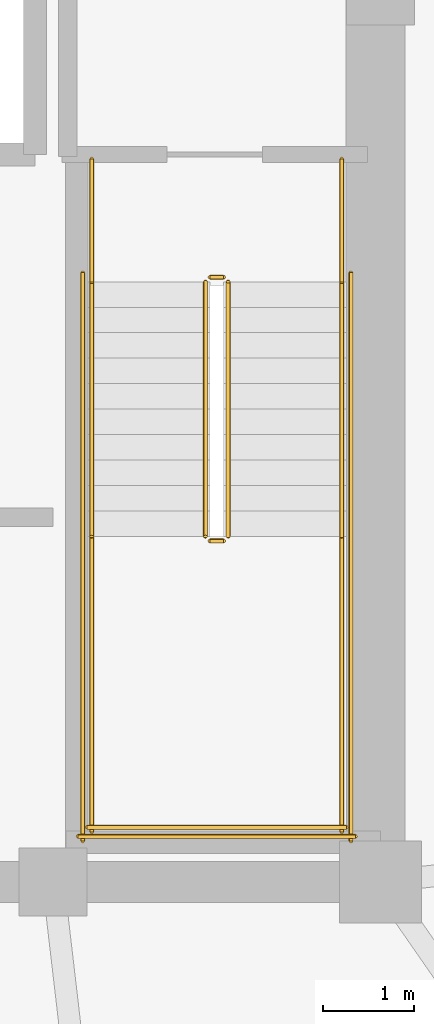
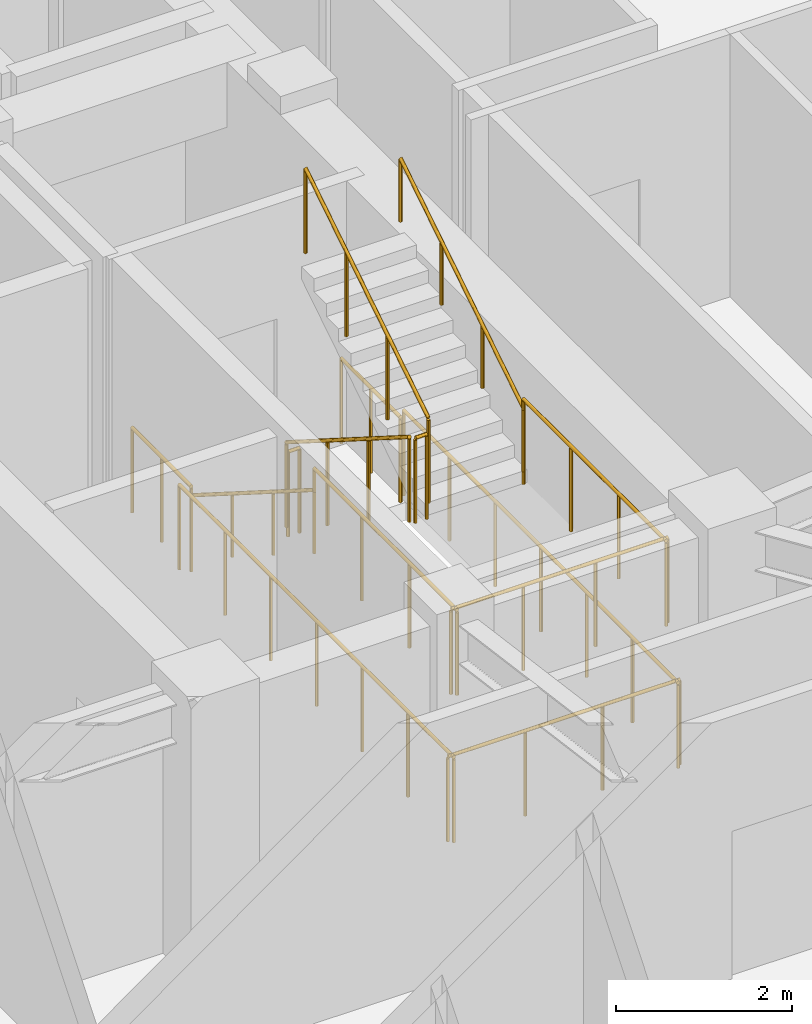
# One storey, part 11 of 11: 14 railings.
"""IFC4 building model written with IfcOpenShell, lengths in metres."""

from ifc_helpers import new_model, si_unit, direction, frame, origin, origin_2d, place, context, subcontext, project, spatial, circle, extrude, material, type_object, element, save


model = new_model("IFC4")

# Units and contexts
model_context = context("Model", 3, precision=1e-05, world=origin(), true_north=direction((0.0, 1.0)))
body_context = subcontext(model_context, "Body", "Model", "MODEL_VIEW")
ifc_project = project(units=[si_unit("LENGTHUNIT", "METRE"), si_unit("AREAUNIT", "SQUARE_METRE"), si_unit("VOLUMEUNIT", "CUBIC_METRE"), si_unit("PLANEANGLEUNIT", "RADIAN"), si_unit("MASSUNIT", "GRAM", prefix="KILO")], contexts=[model_context])

# Site, building, storey
site_placement = place(None, origin())
site = spatial("IfcSite", under=ifc_project, at=site_placement, CompositionType="ELEMENT")
building_placement = place(site_placement, origin())
building = spatial("IfcBuilding", under=site, at=building_placement, Name="Voryun Gate Residences", CompositionType="ELEMENT")
storey_placement = place(building_placement, frame((0.0, 0.0, 223.60009765625)))
storey = spatial("IfcBuildingStorey", under=building, at=storey_placement, Name="L55", CompositionType="ELEMENT", Elevation=223.60009765625)

# Railings
ifc_material_1 = material(Name="Painted steel", Category="steel")
railing_type_1 = type_object("IfcRailingType", Name="RAIL_STAIR_GUARD_1200", PredefinedType="GUARDRAIL", material=ifc_material_1)
railing_1_placement = place(storey_placement, frame((17.27490234375, -0.800048828125, 0.17724609375)))
element("IfcRailing", 1, at=railing_1_placement, inside=storey, type_object=railing_type_1, Name="L55 ST-E1 stair guard 1", PredefinedType="GUARDRAIL", context=body_context, shape_type="SweptSolid", body=[
    extrude(circle(Radius=0.02392578125, at=origin_2d()), frame((0.0, 0.0, 1.17578125), z_axis=(0.0, -0.844908973607, 0.534910110503), x_axis=(1.0, 0.0, 0.0)), (0.0, 0.0, 1.0), 3.31396484375),
    extrude(circle(Radius=0.02099609375, at=origin_2d()), origin(), (0.0, 0.0, 1.0), 1.15185546875),
    extrude(circle(Radius=0.02099609375, at=origin_2d()), frame((0.0, -0.933349609375, 0.5908203125)), (0.0, 0.0, 1.0), 1.15185546875),
    extrude(circle(Radius=0.02099609375, at=origin_2d()), frame((0.0, -1.86669921875, 1.181884765625)), (0.0, 0.0, 1.0), 1.15185546875),
    extrude(circle(Radius=0.02099609375, at=origin_2d()), frame((0.0, -2.800048828125, 1.772705078125)), (0.0, 0.0, 1.0), 1.15185546875),
])
railing_2_placement = place(storey_placement, frame((17.324951171875, -3.64990234375, 1.949951171875)))
element("IfcRailing", 2, at=railing_2_placement, inside=storey, type_object=railing_type_1, Name="L55 ST-E1 stair guard 2", PredefinedType="GUARDRAIL", context=body_context, shape_type="SweptSolid", body=[
    extrude(circle(Radius=0.02392578125, at=origin_2d()), frame((0.0, 0.0, 1.17578125), z_axis=(1.0, 0.0, 0.0), x_axis=(0.0, 1.0, 0.0)), (0.0, 0.0, 1.0), 0.150146484375),
    extrude(circle(Radius=0.02099609375, at=origin_2d()), origin(), (0.0, 0.0, 1.0), 1.15185546875),
    extrude(circle(Radius=0.02099609375, at=origin_2d()), frame((0.150146484375, 0.0, 0.0)), (0.0, 0.0, 1.0), 1.15185546875),
])
for number, where, name in (
    (3, (16.02490234375, -3.60009765625, 1.949951171875), "L55 ST-E1 stair guard 3"),
    (4, (18.77490234375, -3.60009765625, 1.949951171875), "L55 ST-E1 stair guard 4"),
):
    element("IfcRailing", number, at=place(storey_placement, frame(where)), inside=storey, type_object=railing_type_1, Name=name, PredefinedType="GUARDRAIL", context=body_context, shape_type="SweptSolid", body=[
        extrude(circle(Radius=0.02392578125, at=origin_2d()), frame((0.0, 0.0, 1.17578125), z_axis=(0.0, -1.0, 0.0), x_axis=(1.0, 0.0, 0.0)), (0.0, 0.0, 1.0), 3.25),
        extrude(circle(Radius=0.02099609375, at=origin_2d()), origin(), (0.0, 0.0, 1.0), 1.15185546875),
        extrude(circle(Radius=0.02099609375, at=origin_2d()), frame((0.0, -1.083251953125, 0.0)), (0.0, 0.0, 1.0), 1.15185546875),
        extrude(circle(Radius=0.02099609375, at=origin_2d()), frame((0.0, -2.166748046875, 0.0)), (0.0, 0.0, 1.0), 1.15185546875),
        extrude(circle(Radius=0.02099609375, at=origin_2d()), frame((0.0, -3.25, 0.0)), (0.0, 0.0, 1.0), 1.15185546875),
    ])
railing_3_placement = place(storey_placement, frame((15.97509765625, -6.800048828125, 1.949951171875)))
element("IfcRailing", 5, at=railing_3_placement, inside=storey, type_object=railing_type_1, Name="L55 ST-E1 stair guard 5", PredefinedType="GUARDRAIL", context=body_context, shape_type="SweptSolid", body=[
    extrude(circle(Radius=0.02392578125, at=origin_2d()), frame((0.0, 0.0, 1.17578125), z_axis=(1.0, 0.0, 0.0), x_axis=(0.0, 1.0, 0.0)), (0.0, 0.0, 1.0), 2.849853515625),
    extrude(circle(Radius=0.02099609375, at=origin_2d()), origin(), (0.0, 0.0, 1.0), 1.15185546875),
    extrude(circle(Radius=0.02099609375, at=origin_2d()), frame((0.949951171875, 0.0, 0.0)), (0.0, 0.0, 1.0), 1.15185546875),
    extrude(circle(Radius=0.02099609375, at=origin_2d()), frame((1.89990234375, 0.0, 0.0)), (0.0, 0.0, 1.0), 1.15185546875),
    extrude(circle(Radius=0.02099609375, at=origin_2d()), frame((2.849853515625, 0.0, 0.0)), (0.0, 0.0, 1.0), 1.15185546875),
])
railing_4_placement = place(storey_placement, frame((17.52490234375, -3.60009765625, 2.127197265625)))
element("IfcRailing", 6, at=railing_4_placement, inside=storey, type_object=railing_type_1, Name="L55 ST-E1 stair guard 6", PredefinedType="GUARDRAIL", context=body_context, shape_type="SweptSolid", body=[
    extrude(circle(Radius=0.02392578125, at=origin_2d()), frame((0.0, 0.0, 1.17578125), z_axis=(0.0, 0.844908973607, 0.534910110503), x_axis=(-1.0, 0.0, 0.0)), (0.0, 0.0, 1.0), 3.31396484375),
    extrude(circle(Radius=0.02099609375, at=origin_2d()), origin(), (0.0, 0.0, 1.0), 1.15185546875),
    extrude(circle(Radius=0.02099609375, at=origin_2d()), frame((0.0, 0.933349609375, 0.5908203125)), (0.0, 0.0, 1.0), 1.15185546875),
    extrude(circle(Radius=0.02099609375, at=origin_2d()), frame((0.0, 1.86669921875, 1.181884765625)), (0.0, 0.0, 1.0), 1.15185546875),
    extrude(circle(Radius=0.02099609375, at=origin_2d()), frame((0.0, 2.800048828125, 1.772705078125)), (0.0, 0.0, 1.0), 1.15185546875),
])
railing_5_placement = place(storey_placement, frame((17.324951171875, -0.75, 0.0)))
element("IfcRailing", 7, at=railing_5_placement, inside=storey, type_object=railing_type_1, Name="L55 ST-E1 stair guard 7", PredefinedType="GUARDRAIL", context=body_context, shape_type="SweptSolid", body=[
    extrude(circle(Radius=0.02392578125, at=origin_2d()), frame((0.0, 0.0, 1.17578125), z_axis=(1.0, 0.0, 0.0), x_axis=(0.0, 1.0, 0.0)), (0.0, 0.0, 1.0), 0.150146484375),
    extrude(circle(Radius=0.02099609375, at=origin_2d()), origin(), (0.0, 0.0, 1.0), 1.15185546875),
    extrude(circle(Radius=0.02099609375, at=origin_2d()), frame((0.150146484375, 0.0, 0.0)), (0.0, 0.0, 1.0), 1.15185546875),
])
for number, where, name in (
    (8, (16.02490234375, 0.550048828125, 0.0), "L55 ST-E1 stair guard 8"),
    (9, (18.77490234375, 0.550048828125, 0.0), "L55 ST-E1 stair guard 9"),
):
    element("IfcRailing", number, at=place(storey_placement, frame(where)), inside=storey, type_object=railing_type_1, Name=name, PredefinedType="GUARDRAIL", context=body_context, shape_type="SweptSolid", body=[
        extrude(circle(Radius=0.02392578125, at=origin_2d()), frame((0.0, 0.0, 1.17578125), z_axis=(0.0, -1.0, 0.0), x_axis=(1.0, 0.0, 0.0)), (0.0, 0.0, 1.0), 1.35009765625),
        extrude(circle(Radius=0.02099609375, at=origin_2d()), origin(), (0.0, 0.0, 1.0), 1.15185546875),
        extrude(circle(Radius=0.02099609375, at=origin_2d()), frame((0.0, -0.675048828125, 0.0)), (0.0, 0.0, 1.0), 1.15185546875),
        extrude(circle(Radius=0.02099609375, at=origin_2d()), frame((0.0, -1.35009765625, 0.0)), (0.0, 0.0, 1.0), 1.15185546875),
    ])
for number, where, name in (
    (10, (15.925048828125, -0.699951171875, 0.0), "L55 ST-E1 stair guard 10"),
    (11, (18.875, -0.699951171875, 0.0), "L55 ST-E1 stair guard 11"),
):
    element("IfcRailing", number, at=place(storey_placement, frame(where)), inside=storey, type_object=railing_type_1, Name=name, PredefinedType="GUARDRAIL", context=body_context, shape_type="SweptSolid", body=[
        extrude(circle(Radius=0.02392578125, at=origin_2d()), frame((0.0, 0.0, 1.17578125), z_axis=(0.0, -1.0, 0.0), x_axis=(1.0, 0.0, 0.0)), (0.0, 0.0, 1.0), 6.25),
        extrude(circle(Radius=0.02099609375, at=origin_2d()), origin(), (0.0, 0.0, 1.0), 1.15185546875),
        extrude(circle(Radius=0.02099609375, at=origin_2d()), frame((0.0, -1.041748046875, 0.0)), (0.0, 0.0, 1.0), 1.15185546875),
        extrude(circle(Radius=0.02099609375, at=origin_2d()), frame((0.0, -2.083251953125, 0.0)), (0.0, 0.0, 1.0), 1.15185546875),
        extrude(circle(Radius=0.02099609375, at=origin_2d()), frame((0.0, -3.125, 0.0)), (0.0, 0.0, 1.0), 1.15185546875),
        extrude(circle(Radius=0.02099609375, at=origin_2d()), frame((0.0, -4.166748046875, 0.0)), (0.0, 0.0, 1.0), 1.15185546875),
        extrude(circle(Radius=0.02099609375, at=origin_2d()), frame((0.0, -5.208251953125, 0.0)), (0.0, 0.0, 1.0), 1.15185546875),
        extrude(circle(Radius=0.02099609375, at=origin_2d()), frame((0.0, -6.25, 0.0)), (0.0, 0.0, 1.0), 1.15185546875),
    ])
railing_6_placement = place(storey_placement, frame((15.875, -6.89990234375, 0.0)))
element("IfcRailing", 12, at=railing_6_placement, inside=storey, type_object=railing_type_1, Name="L55 ST-E1 stair guard 12", PredefinedType="GUARDRAIL", context=body_context, shape_type="SweptSolid", body=[
    extrude(circle(Radius=0.02392578125, at=origin_2d()), frame((0.0, 0.0, 1.17578125), z_axis=(1.0, 0.0, 0.0), x_axis=(0.0, 1.0, 0.0)), (0.0, 0.0, 1.0), 3.050048828125),
    extrude(circle(Radius=0.02099609375, at=origin_2d()), origin(), (0.0, 0.0, 1.0), 1.15185546875),
    extrude(circle(Radius=0.02099609375, at=origin_2d()), frame((1.0166015625, 0.0, 0.0)), (0.0, 0.0, 1.0), 1.15185546875),
    extrude(circle(Radius=0.02099609375, at=origin_2d()), frame((2.033447265625, 0.0, 0.0)), (0.0, 0.0, 1.0), 1.15185546875),
    extrude(circle(Radius=0.02099609375, at=origin_2d()), frame((3.050048828125, 0.0, 0.0)), (0.0, 0.0, 1.0), 1.15185546875),
])
ifc_material_2 = material(Name="Painted steel", Category="steel")
railing_type_2 = type_object("IfcRailingType", Name="RAIL_STAIR_HANDRAIL_900", PredefinedType="HANDRAIL", material=ifc_material_2)
railing_7_placement = place(storey_placement, frame((16.02490234375, -0.800048828125, 0.17724609375)))
element("IfcRailing", 13, at=railing_7_placement, inside=storey, type_object=railing_type_2, Name="L55 ST-E1 stair handrail 1", PredefinedType="HANDRAIL", context=body_context, shape_type="SweptSolid", body=[
    extrude(circle(Radius=0.02392578125, at=origin_2d()), frame((0.0, 0.0, 0.8759765625), z_axis=(0.0, -0.844908973607, 0.534910110503), x_axis=(1.0, 0.0, 0.0)), (0.0, 0.0, 1.0), 3.31396484375),
    extrude(circle(Radius=0.02099609375, at=origin_2d()), origin(), (0.0, 0.0, 1.0), 0.851806640625),
    extrude(circle(Radius=0.02099609375, at=origin_2d()), frame((0.0, -0.933349609375, 0.5908203125)), (0.0, 0.0, 1.0), 0.851806640625),
    extrude(circle(Radius=0.02099609375, at=origin_2d()), frame((0.0, -1.86669921875, 1.181884765625)), (0.0, 0.0, 1.0), 0.851806640625),
    extrude(circle(Radius=0.02099609375, at=origin_2d()), frame((0.0, -2.800048828125, 1.772705078125)), (0.0, 0.0, 1.0), 0.851806640625),
])
railing_8_placement = place(storey_placement, frame((18.77490234375, -3.60009765625, 2.127197265625)))
element("IfcRailing", 14, at=railing_8_placement, inside=storey, type_object=railing_type_2, Name="L55 ST-E1 stair handrail 2", PredefinedType="HANDRAIL", context=body_context, shape_type="SweptSolid", body=[
    extrude(circle(Radius=0.02392578125, at=origin_2d()), frame((0.0, 0.0, 0.8759765625), z_axis=(0.0, 0.844908973607, 0.534910110503), x_axis=(-1.0, 0.0, 0.0)), (0.0, 0.0, 1.0), 3.31396484375),
    extrude(circle(Radius=0.02099609375, at=origin_2d()), origin(), (0.0, 0.0, 1.0), 0.851806640625),
    extrude(circle(Radius=0.02099609375, at=origin_2d()), frame((0.0, 0.933349609375, 0.5908203125)), (0.0, 0.0, 1.0), 0.851806640625),
    extrude(circle(Radius=0.02099609375, at=origin_2d()), frame((0.0, 1.86669921875, 1.181884765625)), (0.0, 0.0, 1.0), 0.851806640625),
    extrude(circle(Radius=0.02099609375, at=origin_2d()), frame((0.0, 2.800048828125, 1.772705078125)), (0.0, 0.0, 1.0), 0.851806640625),
])

save(model, "model.ifc")
